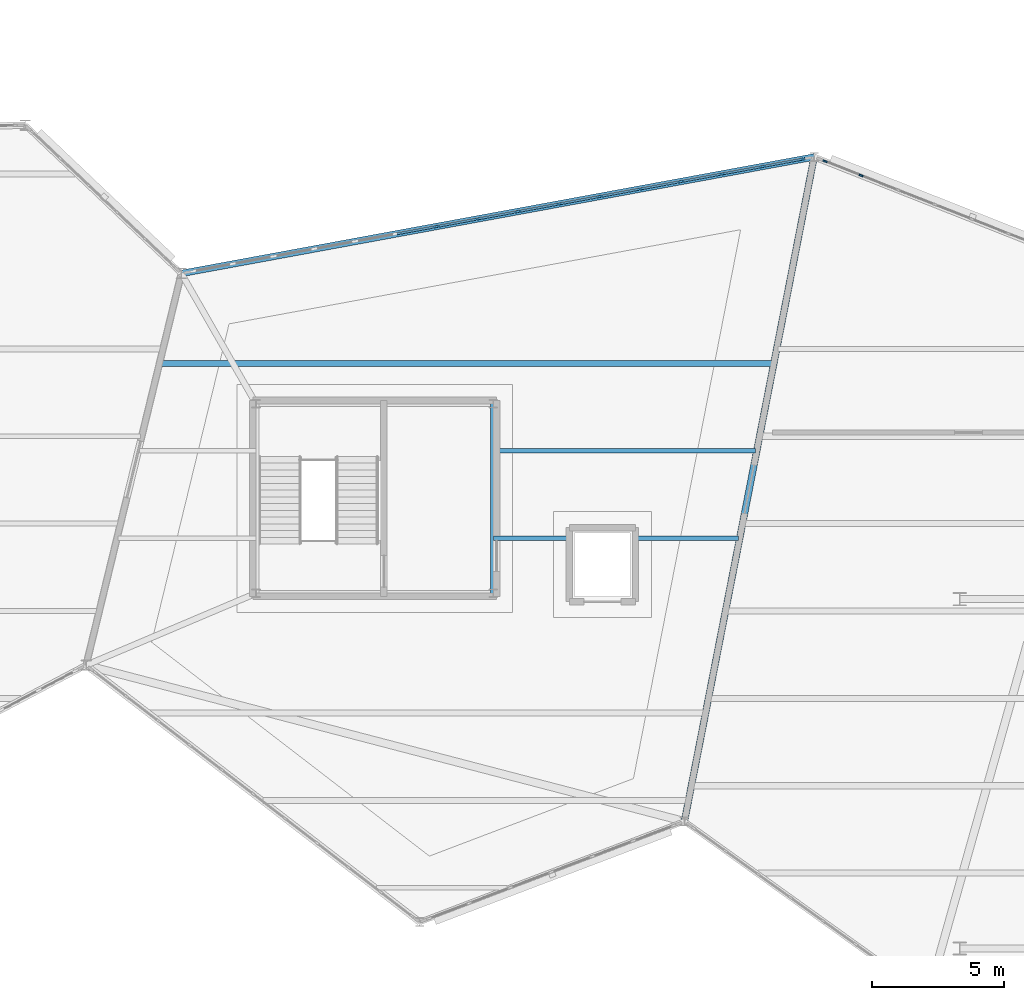
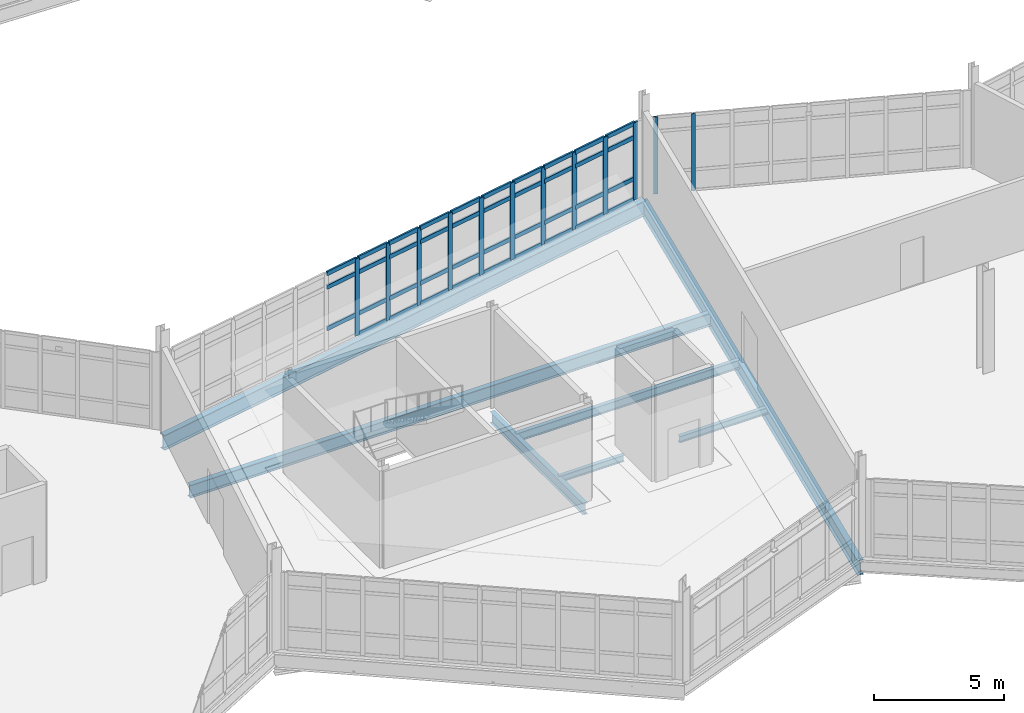
# One storey, part 49 of 134: 51 members, 7 beams, 2 elements without a shape of their own.
"""IFC4 building model written with IfcOpenShell, lengths in metres."""

from ifc_helpers import new_model, si_unit, direction, frame, origin, origin_2d, place, context, subcontext, project, spatial, rectangle, i_section, extrude, material, material_profile, profile_set, type_object, element, aggregate, save


model = new_model("IFC4")

# Units and contexts
model_context = context("Model", 3, precision=1e-05, world=origin(), true_north=direction((0.0, 1.0)))
body_context = subcontext(model_context, "Body", "Model", "MODEL_VIEW")
ifc_project = project(units=[si_unit("LENGTHUNIT", "METRE"), si_unit("AREAUNIT", "SQUARE_METRE"), si_unit("VOLUMEUNIT", "CUBIC_METRE"), si_unit("PLANEANGLEUNIT", "RADIAN"), si_unit("MASSUNIT", "GRAM", prefix="KILO")], contexts=[model_context])

# Site, building, storey
site_placement = place(None, origin())
site = spatial("IfcSite", under=ifc_project, at=site_placement, CompositionType="ELEMENT")
building_placement = place(site_placement, origin())
building = spatial("IfcBuilding", under=site, at=building_placement, Name="Tameran Prism Museum", CompositionType="ELEMENT")
storey_placement = place(building_placement, frame((0.0, 0.0, 5.39990234375)))
storey = spatial("IfcBuildingStorey", under=building, at=storey_placement, Name="L01", CompositionType="ELEMENT", Elevation=5.39990234375)

# Beams
ifc_material_1 = material(Name="Steel Grade 300PLUS (300 MPa)", Category="steel")
ifc_material_profile_1 = material_profile(ifc_material_1, i_section(OverallWidth=0.166015625, OverallDepth=0.306884765625, WebThickness=0.006591796875, FlangeThickness=0.01171875, FilletRadius=0.011474609375, at=origin_2d()))
ifc_profile_set_1 = profile_set([ifc_material_profile_1])
beam_type_1 = type_object("IfcBeamType", Name="BM-J310A", PredefinedType="JOIST", material=ifc_profile_set_1)
beam_1_placement = place(storey_placement, frame((113.47998046875, 33.0, -0.353515625), z_axis=(1.0, 0.0, 0.0), x_axis=(0.0, 1.0, 0.0)))
element("IfcBeam", 1, at=beam_1_placement, inside=storey, type_object=beam_type_1, Name="Floor Beam BM-0565", PredefinedType="JOIST", context=body_context, shape_type="SweptSolid", body=[
    extrude(i_section(OverallWidth=0.166015625, OverallDepth=0.306884765625, WebThickness=0.006591796875, FlangeThickness=0.01171875, FilletRadius=0.011474609375, at=origin_2d()), origin(), (0.0, 0.0, 1.0), 2.89013671875),
])
beam_2_placement = place(storey_placement, frame((118.830078125, 33.0, -0.353515625), z_axis=(1.0, 0.0, 0.0), x_axis=(0.0, 1.0, 0.0)))
element("IfcBeam", 2, at=beam_2_placement, inside=storey, type_object=beam_type_1, Name="Floor Beam BM-0566", PredefinedType="JOIST", context=body_context, shape_type="SweptSolid", body=[
    extrude(i_section(OverallWidth=0.166015625, OverallDepth=0.306884765625, WebThickness=0.006591796875, FlangeThickness=0.01171875, FilletRadius=0.011474609375, at=origin_2d()), origin(), (0.0, 0.0, 1.0), 3.91796875),
])
ifc_material_2 = material(Name="Steel Grade 300PLUS (300 MPa)", Category="steel")
ifc_material_profile_2 = material_profile(ifc_material_2, i_section(OverallWidth=0.177978515625, OverallDepth=0.403076171875, WebThickness=0.007568359375, FlangeThickness=0.010986328125, FilletRadius=0.011474609375, at=origin_2d()))
ifc_profile_set_2 = profile_set([ifc_material_profile_2])
beam_type_2 = type_object("IfcBeamType", Name="BM-J410B", PredefinedType="JOIST", material=ifc_profile_set_2)
beam_3_placement = place(storey_placement, frame((113.47998046875, 36.300048828125, -0.4013671875), z_axis=(1.0, 0.0, 0.0), x_axis=(0.0, 1.0, 0.0)))
element("IfcBeam", 3, at=beam_3_placement, inside=storey, type_object=beam_type_2, Name="Floor Beam BM-0568", PredefinedType="JOIST", context=body_context, shape_type="SweptSolid", body=[
    extrude(i_section(OverallWidth=0.177978515625, OverallDepth=0.403076171875, WebThickness=0.007568359375, FlangeThickness=0.010986328125, FilletRadius=0.011474609375, at=origin_2d()), origin(), (0.0, 0.0, 1.0), 9.912109375),
])
ifc_material_3 = material(Name="Steel Grade 300PLUS (300 MPa)", Category="steel")
ifc_material_profile_3 = material_profile(ifc_material_3, i_section(OverallWidth=0.208984375, OverallDepth=0.528076171875, WebThickness=0.009521484375, FlangeThickness=0.01318359375, FilletRadius=0.013916015625, at=origin_2d()))
ifc_profile_set_3 = profile_set([ifc_material_profile_3])
beam_type_3 = type_object("IfcBeamType", Name="BM-SP530B", PredefinedType="SPANDREL", material=ifc_profile_set_3)
beam_4_placement = place(storey_placement, frame((113.47998046875, 30.919921875, -0.50390625), z_axis=(0.0, 1.0, 0.0), x_axis=(-1.0, 0.0, 0.0)))
element("IfcBeam", 4, at=beam_4_placement, inside=storey, type_object=beam_type_3, Name="Core Ring Beam CTB-0459", PredefinedType="SPANDREL", context=body_context, shape_type="SweptSolid", body=[
    extrude(i_section(OverallWidth=0.208984375, OverallDepth=0.528076171875, WebThickness=0.009521484375, FlangeThickness=0.01318359375, FilletRadius=0.013916015625, at=origin_2d()), origin(), (0.0, 0.0, 1.0), 7.16015625),
])
ifc_material_4 = material(Name="Steel Grade 350 (350 MPa)", Category="steel")
ifc_material_profile_4 = material_profile(ifc_material_4, i_section(OverallWidth=0.25, OverallDepth=0.699951171875, WebThickness=0.010009765625, FlangeThickness=0.02001953125, at=origin_2d()))
ifc_profile_set_4 = profile_set([ifc_material_profile_4])
beam_type_4 = type_object("IfcBeamType", Name="BM-SP700", PredefinedType="SPANDREL", material=ifc_profile_set_4)
beam_5_placement = place(storey_placement, frame((120.699951171875, 22.300048828125, -0.5498046875), z_axis=(0.191608827438, 0.981471373626, 0.0), x_axis=(-0.981471373626, 0.191608827438, 0.0)))
element("IfcBeam", 5, at=beam_5_placement, inside=storey, type_object=beam_type_4, Name="Perimeter Spandrel SP-0362", PredefinedType="SPANDREL", context=body_context, shape_type="SweptSolid", body=[
    extrude(i_section(OverallWidth=0.25, OverallDepth=0.699951171875, WebThickness=0.010009765625, FlangeThickness=0.02001953125, at=origin_2d()), origin(), (0.0, 0.0, 1.0), 25.57373046875),
])
beam_6_placement = place(storey_placement, frame((125.60009765625, 47.39990234375, -0.5498046875), z_axis=(-0.983473389275, -0.181052734272, 0.0), x_axis=(0.181052734272, -0.983473389275, 0.0)))
element("IfcBeam", 6, at=beam_6_placement, inside=storey, type_object=beam_type_4, Name="Perimeter Spandrel SP-0363", PredefinedType="SPANDREL", context=body_context, shape_type="SweptSolid", body=[
    extrude(i_section(OverallWidth=0.25, OverallDepth=0.699951171875, WebThickness=0.010009765625, FlangeThickness=0.02001953125, at=origin_2d()), origin(), (0.0, 0.0, 1.0), 24.3017578125),
])
ifc_material_5 = material(Name="Steel Grade 300PLUS (300 MPa)", Category="steel")
ifc_material_profile_5 = material_profile(ifc_material_5, i_section(OverallWidth=0.22802734375, OverallDepth=0.60693359375, WebThickness=0.01123046875, FlangeThickness=0.017333984375, FilletRadius=0.013916015625, at=origin_2d()))
ifc_profile_set_5 = profile_set([ifc_material_profile_5])
beam_type_5 = type_object("IfcBeamType", Name="BM-UB610B", PredefinedType="BEAM", material=ifc_profile_set_5)
beam_7_placement = place(storey_placement, frame((100.9140625, 39.60009765625, -0.50341796875), z_axis=(1.0, 0.0, 0.0), x_axis=(0.0, 1.0, 0.0)))
element("IfcBeam", 7, at=beam_7_placement, inside=storey, type_object=beam_type_5, Name="Floor Beam BM-0569", PredefinedType="BEAM", context=body_context, shape_type="SweptSolid", body=[
    extrude(i_section(OverallWidth=0.22802734375, OverallDepth=0.60693359375, WebThickness=0.01123046875, FlangeThickness=0.017333984375, FilletRadius=0.013916015625, at=origin_2d()), origin(), (0.0, 0.0, 1.0), 23.123046875),
])

# Curtain wall, members
ifc_material_6 = material(Name="Anodised Aluminium 6063-T6 and Cyclone Solar Glass", Category="aluminium")
curtain_wall_type_1 = type_object("IfcCurtainWallType", Name="CW-FAC-1197x362", PredefinedType="USERDEFINED", material=ifc_material_6)
curtain_wall_1_placement = place(storey_placement, origin())
curtain_wall_1 = element("IfcCurtainWall", 8, at=curtain_wall_1_placement, inside=storey, type_object=curtain_wall_type_1, Name="Unitised Curtain Wall CW-075", ObjectType="UNITISED CURTAIN WALL", PredefinedType="USERDEFINED")
ifc_material_7 = material(Name="Anodised Aluminium Alloy 6063-T6", Category="aluminium")
ifc_material_profile_6 = material_profile(ifc_material_7, rectangle(XDim=0.06494140625, YDim=0.159912109375, at=origin_2d()))
ifc_profile_set_6 = profile_set([ifc_material_profile_6])
member_type_1 = type_object("IfcMemberType", Name="CW-MUL-A", PredefinedType="MULLION", material=ifc_profile_set_6)
member_1_placement = place(storey_placement, frame((126.01318359375, 47.237060546875, 0.0), z_axis=(0.0, 0.0, 1.0), x_axis=(0.367354802346, 0.930080883146, 0.0)))
member_1 = element("IfcMember", 9, at=member_1_placement, type_object=member_type_1, Name="CW-075 mullion 1", PredefinedType="MULLION", context=body_context, shape_type="SweptSolid", body=[
    extrude(rectangle(XDim=0.06494140625, YDim=0.159912109375, at=origin_2d()), origin(), (0.0, 0.0, 1.0), 3.6201171875),
])
member_2_placement = place(storey_placement, frame((127.374755859375, 46.69921875, 0.0), z_axis=(0.0, 0.0, 1.0), x_axis=(0.367354802346, 0.930080883146, 0.0)))
member_2 = element("IfcMember", 10, at=member_2_placement, type_object=member_type_1, Name="CW-075 mullion 2", PredefinedType="MULLION", context=body_context, shape_type="SweptSolid", body=[
    extrude(rectangle(XDim=0.06494140625, YDim=0.159912109375, at=origin_2d()), origin(), (0.0, 0.0, 1.0), 3.6201171875),
])
aggregate(curtain_wall_1, [member_1, member_2])

ifc_material_8 = material(Name="Anodised Aluminium 6063-T6 and Cyclone Solar Glass", Category="aluminium")
curtain_wall_type_2 = type_object("IfcCurtainWallType", Name="CW-FAC-2348x362", PredefinedType="USERDEFINED", material=ifc_material_8)
curtain_wall_2_placement = place(storey_placement, origin())
curtain_wall_2 = element("IfcCurtainWall", 11, at=curtain_wall_2_placement, inside=storey, type_object=curtain_wall_type_2, Name="Unitised Curtain Wall CW-074", ObjectType="UNITISED CURTAIN WALL", PredefinedType="USERDEFINED")
ifc_material_9 = material(Name="Anodised Aluminium Alloy 6063-T6", Category="aluminium")
ifc_material_profile_7 = material_profile(ifc_material_9, rectangle(XDim=0.080078125, YDim=0.219970703125, at=origin_2d()))
ifc_profile_set_7 = profile_set([ifc_material_profile_7])
member_type_2 = type_object("IfcMemberType", Name="CW-MUL-D", PredefinedType="MULLION", material=ifc_profile_set_7)
member_3_placement = place(storey_placement, frame((111.339111328125, 44.7744140625, 0.0), z_axis=(0.0, 0.0, 1.0), x_axis=(-0.181062693106, 0.98347155585, 0.0)))
member_3 = element("IfcMember", 12, at=member_3_placement, type_object=member_type_2, Name="CW-074 mullion 7", PredefinedType="MULLION", context=body_context, shape_type="SweptSolid", body=[
    extrude(rectangle(XDim=0.080078125, YDim=0.219970703125, at=origin_2d()), origin(), (0.0, 0.0, 1.0), 3.6201171875),
])
member_4_placement = place(storey_placement, frame((112.87841796875, 45.057861328125, 0.0), z_axis=(0.0, 0.0, 1.0), x_axis=(-0.181062693106, 0.98347155585, 0.0)))
member_4 = element("IfcMember", 13, at=member_4_placement, type_object=member_type_2, Name="CW-074 mullion 8", PredefinedType="MULLION", context=body_context, shape_type="SweptSolid", body=[
    extrude(rectangle(XDim=0.080078125, YDim=0.219970703125, at=origin_2d()), origin(), (0.0, 0.0, 1.0), 3.6201171875),
])
member_5_placement = place(storey_placement, frame((114.417724609375, 45.34130859375, 0.0), z_axis=(0.0, 0.0, 1.0), x_axis=(-0.181062693106, 0.98347155585, 0.0)))
member_5 = element("IfcMember", 14, at=member_5_placement, type_object=member_type_2, Name="CW-074 mullion 9", PredefinedType="MULLION", context=body_context, shape_type="SweptSolid", body=[
    extrude(rectangle(XDim=0.080078125, YDim=0.219970703125, at=origin_2d()), origin(), (0.0, 0.0, 1.0), 3.6201171875),
])
member_6_placement = place(storey_placement, frame((115.95703125, 45.62451171875, 0.0), z_axis=(0.0, 0.0, 1.0), x_axis=(-0.181062693106, 0.98347155585, 0.0)))
member_6 = element("IfcMember", 15, at=member_6_placement, type_object=member_type_2, Name="CW-074 mullion 10", PredefinedType="MULLION", context=body_context, shape_type="SweptSolid", body=[
    extrude(rectangle(XDim=0.080078125, YDim=0.219970703125, at=origin_2d()), origin(), (0.0, 0.0, 1.0), 3.6201171875),
])
member_7_placement = place(storey_placement, frame((117.496337890625, 45.907958984375, 0.0), z_axis=(0.0, 0.0, 1.0), x_axis=(-0.181062693106, 0.98347155585, 0.0)))
member_7 = element("IfcMember", 16, at=member_7_placement, type_object=member_type_2, Name="CW-074 mullion 11", PredefinedType="MULLION", context=body_context, shape_type="SweptSolid", body=[
    extrude(rectangle(XDim=0.080078125, YDim=0.219970703125, at=origin_2d()), origin(), (0.0, 0.0, 1.0), 3.6201171875),
])
member_8_placement = place(storey_placement, frame((119.03564453125, 46.19140625, 0.0), z_axis=(0.0, 0.0, 1.0), x_axis=(-0.181062693106, 0.98347155585, 0.0)))
member_8 = element("IfcMember", 17, at=member_8_placement, type_object=member_type_2, Name="CW-074 mullion 12", PredefinedType="MULLION", context=body_context, shape_type="SweptSolid", body=[
    extrude(rectangle(XDim=0.080078125, YDim=0.219970703125, at=origin_2d()), origin(), (0.0, 0.0, 1.0), 3.6201171875),
])
member_9_placement = place(storey_placement, frame((120.574951171875, 46.474853515625, 0.0), z_axis=(0.0, 0.0, 1.0), x_axis=(-0.181062693106, 0.98347155585, 0.0)))
member_9 = element("IfcMember", 18, at=member_9_placement, type_object=member_type_2, Name="CW-074 mullion 13", PredefinedType="MULLION", context=body_context, shape_type="SweptSolid", body=[
    extrude(rectangle(XDim=0.080078125, YDim=0.219970703125, at=origin_2d()), origin(), (0.0, 0.0, 1.0), 3.6201171875),
])
member_10_placement = place(storey_placement, frame((122.1142578125, 46.75830078125, 0.0), z_axis=(0.0, 0.0, 1.0), x_axis=(-0.181062693106, 0.98347155585, 0.0)))
member_10 = element("IfcMember", 19, at=member_10_placement, type_object=member_type_2, Name="CW-074 mullion 14", PredefinedType="MULLION", context=body_context, shape_type="SweptSolid", body=[
    extrude(rectangle(XDim=0.080078125, YDim=0.219970703125, at=origin_2d()), origin(), (0.0, 0.0, 1.0), 3.6201171875),
])
member_11_placement = place(storey_placement, frame((123.653564453125, 47.04150390625, 0.0), z_axis=(0.0, 0.0, 1.0), x_axis=(-0.181062693106, 0.98347155585, 0.0)))
member_11 = element("IfcMember", 20, at=member_11_placement, type_object=member_type_2, Name="CW-074 mullion 15", PredefinedType="MULLION", context=body_context, shape_type="SweptSolid", body=[
    extrude(rectangle(XDim=0.080078125, YDim=0.219970703125, at=origin_2d()), origin(), (0.0, 0.0, 1.0), 3.6201171875),
])
member_12_placement = place(storey_placement, frame((125.153564453125, 47.31787109375, 0.0), z_axis=(0.0, 0.0, 1.0), x_axis=(-0.181062693106, 0.98347155585, 0.0)))
member_12 = element("IfcMember", 21, at=member_12_placement, type_object=member_type_2, Name="CW-074 mullion 16", PredefinedType="MULLION", context=body_context, shape_type="SweptSolid", body=[
    extrude(rectangle(XDim=0.080078125, YDim=0.219970703125, at=origin_2d()), origin(), (0.0, 0.0, 1.0), 3.6201171875),
])
ifc_material_10 = material(Name="Anodised Aluminium Alloy 6063-T6", Category="aluminium")
ifc_material_profile_8 = material_profile(ifc_material_10, rectangle(XDim=0.080078125, YDim=0.195068359375, at=origin_2d()))
ifc_profile_set_8 = profile_set([ifc_material_profile_8])
member_type_3 = type_object("IfcMemberType", Name="CW-TRN-D", PredefinedType="USERDEFINED", material=ifc_profile_set_8)
member_13_placement = place(storey_placement, frame((109.839111328125, 44.498291015625, 1.0), z_axis=(0.983480926878, 0.181011785438, 0.0), x_axis=(-0.181011785438, 0.983480926878, 0.0)))
member_13 = element("IfcMember", 22, at=member_13_placement, type_object=member_type_3, Name="CW-074 transom 6.2", ObjectType="TRANSOM", PredefinedType="USERDEFINED", context=body_context, shape_type="SweptSolid", body=[
    extrude(rectangle(XDim=0.080078125, YDim=0.195068359375, at=origin_2d()), origin(), (0.0, 0.0, 1.0), 1.48486328125),
])
member_14_placement = place(storey_placement, frame((109.839111328125, 44.498291015625, 2.940185546875), z_axis=(0.983480926878, 0.181011785438, 0.0), x_axis=(-0.181011785438, 0.983480926878, 0.0)))
member_14 = element("IfcMember", 23, at=member_14_placement, type_object=member_type_3, Name="CW-074 transom 6.3", ObjectType="TRANSOM", PredefinedType="USERDEFINED", context=body_context, shape_type="SweptSolid", body=[
    extrude(rectangle(XDim=0.080078125, YDim=0.195068359375, at=origin_2d()), origin(), (0.0, 0.0, 1.0), 1.48486328125),
])
member_15_placement = place(storey_placement, frame((109.839111328125, 44.498291015625, 3.580078125), z_axis=(0.983480926878, 0.181011785438, 0.0), x_axis=(-0.181011785438, 0.983480926878, 0.0)))
member_15 = element("IfcMember", 24, at=member_15_placement, type_object=member_type_3, Name="CW-074 transom 6.4", ObjectType="TRANSOM", PredefinedType="USERDEFINED", context=body_context, shape_type="SweptSolid", body=[
    extrude(rectangle(XDim=0.080078125, YDim=0.195068359375, at=origin_2d()), origin(), (0.0, 0.0, 1.0), 1.48486328125),
])
member_16_placement = place(storey_placement, frame((111.37841796875, 44.78173828125, 0.0400390625), z_axis=(0.983486312401, 0.180982522138, 0.0), x_axis=(-0.180982522138, 0.983486312401, 0.0)))
member_16 = element("IfcMember", 25, at=member_16_placement, type_object=member_type_3, Name="CW-074 transom 7.1", ObjectType="TRANSOM", PredefinedType="USERDEFINED", context=body_context, shape_type="SweptSolid", body=[
    extrude(rectangle(XDim=0.080078125, YDim=0.195068359375, at=origin_2d()), origin(), (0.0, 0.0, 1.0), 1.485107421875),
])
member_17_placement = place(storey_placement, frame((111.37841796875, 44.78173828125, 1.0), z_axis=(0.983486312401, 0.180982522138, 0.0), x_axis=(-0.180982522138, 0.983486312401, 0.0)))
member_17 = element("IfcMember", 26, at=member_17_placement, type_object=member_type_3, Name="CW-074 transom 7.2", ObjectType="TRANSOM", PredefinedType="USERDEFINED", context=body_context, shape_type="SweptSolid", body=[
    extrude(rectangle(XDim=0.080078125, YDim=0.195068359375, at=origin_2d()), origin(), (0.0, 0.0, 1.0), 1.485107421875),
])
member_18_placement = place(storey_placement, frame((111.37841796875, 44.78173828125, 2.940185546875), z_axis=(0.983486312401, 0.180982522138, 0.0), x_axis=(-0.180982522138, 0.983486312401, 0.0)))
member_18 = element("IfcMember", 27, at=member_18_placement, type_object=member_type_3, Name="CW-074 transom 7.3", ObjectType="TRANSOM", PredefinedType="USERDEFINED", context=body_context, shape_type="SweptSolid", body=[
    extrude(rectangle(XDim=0.080078125, YDim=0.195068359375, at=origin_2d()), origin(), (0.0, 0.0, 1.0), 1.485107421875),
])
member_19_placement = place(storey_placement, frame((111.37841796875, 44.78173828125, 3.580078125), z_axis=(0.983486312401, 0.180982522138, 0.0), x_axis=(-0.180982522138, 0.983486312401, 0.0)))
member_19 = element("IfcMember", 28, at=member_19_placement, type_object=member_type_3, Name="CW-074 transom 7.4", ObjectType="TRANSOM", PredefinedType="USERDEFINED", context=body_context, shape_type="SweptSolid", body=[
    extrude(rectangle(XDim=0.080078125, YDim=0.195068359375, at=origin_2d()), origin(), (0.0, 0.0, 1.0), 1.485107421875),
])
member_20_placement = place(storey_placement, frame((112.917724609375, 45.06494140625, 0.0400390625), z_axis=(0.983457041771, 0.181141510953, 0.0), x_axis=(-0.181141510953, 0.983457041771, 0.0)))
member_20 = element("IfcMember", 29, at=member_20_placement, type_object=member_type_3, Name="CW-074 transom 8.1", ObjectType="TRANSOM", PredefinedType="USERDEFINED", context=body_context, shape_type="SweptSolid", body=[
    extrude(rectangle(XDim=0.080078125, YDim=0.195068359375, at=origin_2d()), origin(), (0.0, 0.0, 1.0), 1.4853515625),
])
member_21_placement = place(storey_placement, frame((112.917724609375, 45.06494140625, 1.0), z_axis=(0.983457041771, 0.181141510953, 0.0), x_axis=(-0.181141510953, 0.983457041771, 0.0)))
member_21 = element("IfcMember", 30, at=member_21_placement, type_object=member_type_3, Name="CW-074 transom 8.2", ObjectType="TRANSOM", PredefinedType="USERDEFINED", context=body_context, shape_type="SweptSolid", body=[
    extrude(rectangle(XDim=0.080078125, YDim=0.195068359375, at=origin_2d()), origin(), (0.0, 0.0, 1.0), 1.4853515625),
])
member_22_placement = place(storey_placement, frame((112.917724609375, 45.06494140625, 2.940185546875), z_axis=(0.983457041771, 0.181141510953, 0.0), x_axis=(-0.181141510953, 0.983457041771, 0.0)))
member_22 = element("IfcMember", 31, at=member_22_placement, type_object=member_type_3, Name="CW-074 transom 8.3", ObjectType="TRANSOM", PredefinedType="USERDEFINED", context=body_context, shape_type="SweptSolid", body=[
    extrude(rectangle(XDim=0.080078125, YDim=0.195068359375, at=origin_2d()), origin(), (0.0, 0.0, 1.0), 1.4853515625),
])
member_23_placement = place(storey_placement, frame((112.917724609375, 45.06494140625, 3.580078125), z_axis=(0.983457041771, 0.181141510953, 0.0), x_axis=(-0.181141510953, 0.983457041771, 0.0)))
member_23 = element("IfcMember", 32, at=member_23_placement, type_object=member_type_3, Name="CW-074 transom 8.4", ObjectType="TRANSOM", PredefinedType="USERDEFINED", context=body_context, shape_type="SweptSolid", body=[
    extrude(rectangle(XDim=0.080078125, YDim=0.195068359375, at=origin_2d()), origin(), (0.0, 0.0, 1.0), 1.4853515625),
])
member_24_placement = place(storey_placement, frame((114.45703125, 45.348388671875, 0.0400390625), z_axis=(0.983457041771, 0.181141510953, 0.0), x_axis=(-0.181141510953, 0.983457041771, 0.0)))
member_24 = element("IfcMember", 33, at=member_24_placement, type_object=member_type_3, Name="CW-074 transom 9.1", ObjectType="TRANSOM", PredefinedType="USERDEFINED", context=body_context, shape_type="SweptSolid", body=[
    extrude(rectangle(XDim=0.080078125, YDim=0.195068359375, at=origin_2d()), origin(), (0.0, 0.0, 1.0), 1.4853515625),
])
member_25_placement = place(storey_placement, frame((114.45703125, 45.348388671875, 1.0), z_axis=(0.983457041771, 0.181141510953, 0.0), x_axis=(-0.181141510953, 0.983457041771, 0.0)))
member_25 = element("IfcMember", 34, at=member_25_placement, type_object=member_type_3, Name="CW-074 transom 9.2", ObjectType="TRANSOM", PredefinedType="USERDEFINED", context=body_context, shape_type="SweptSolid", body=[
    extrude(rectangle(XDim=0.080078125, YDim=0.195068359375, at=origin_2d()), origin(), (0.0, 0.0, 1.0), 1.4853515625),
])
member_26_placement = place(storey_placement, frame((114.45703125, 45.348388671875, 2.940185546875), z_axis=(0.983457041771, 0.181141510953, 0.0), x_axis=(-0.181141510953, 0.983457041771, 0.0)))
member_26 = element("IfcMember", 35, at=member_26_placement, type_object=member_type_3, Name="CW-074 transom 9.3", ObjectType="TRANSOM", PredefinedType="USERDEFINED", context=body_context, shape_type="SweptSolid", body=[
    extrude(rectangle(XDim=0.080078125, YDim=0.195068359375, at=origin_2d()), origin(), (0.0, 0.0, 1.0), 1.4853515625),
])
member_27_placement = place(storey_placement, frame((114.45703125, 45.348388671875, 3.580078125), z_axis=(0.983457041771, 0.181141510953, 0.0), x_axis=(-0.181141510953, 0.983457041771, 0.0)))
member_27 = element("IfcMember", 36, at=member_27_placement, type_object=member_type_3, Name="CW-074 transom 9.4", ObjectType="TRANSOM", PredefinedType="USERDEFINED", context=body_context, shape_type="SweptSolid", body=[
    extrude(rectangle(XDim=0.080078125, YDim=0.195068359375, at=origin_2d()), origin(), (0.0, 0.0, 1.0), 1.4853515625),
])
member_28_placement = place(storey_placement, frame((115.996337890625, 45.6318359375, 0.0400390625), z_axis=(0.983457041771, 0.181141510953, 0.0), x_axis=(-0.181141510953, 0.983457041771, 0.0)))
member_28 = element("IfcMember", 37, at=member_28_placement, type_object=member_type_3, Name="CW-074 transom 10.1", ObjectType="TRANSOM", PredefinedType="USERDEFINED", context=body_context, shape_type="SweptSolid", body=[
    extrude(rectangle(XDim=0.080078125, YDim=0.195068359375, at=origin_2d()), origin(), (0.0, 0.0, 1.0), 1.4853515625),
])
member_29_placement = place(storey_placement, frame((115.996337890625, 45.6318359375, 1.0), z_axis=(0.983457041771, 0.181141510953, 0.0), x_axis=(-0.181141510953, 0.983457041771, 0.0)))
member_29 = element("IfcMember", 38, at=member_29_placement, type_object=member_type_3, Name="CW-074 transom 10.2", ObjectType="TRANSOM", PredefinedType="USERDEFINED", context=body_context, shape_type="SweptSolid", body=[
    extrude(rectangle(XDim=0.080078125, YDim=0.195068359375, at=origin_2d()), origin(), (0.0, 0.0, 1.0), 1.4853515625),
])
member_30_placement = place(storey_placement, frame((115.996337890625, 45.6318359375, 2.940185546875), z_axis=(0.983457041771, 0.181141510953, 0.0), x_axis=(-0.181141510953, 0.983457041771, 0.0)))
member_30 = element("IfcMember", 39, at=member_30_placement, type_object=member_type_3, Name="CW-074 transom 10.3", ObjectType="TRANSOM", PredefinedType="USERDEFINED", context=body_context, shape_type="SweptSolid", body=[
    extrude(rectangle(XDim=0.080078125, YDim=0.195068359375, at=origin_2d()), origin(), (0.0, 0.0, 1.0), 1.4853515625),
])
member_31_placement = place(storey_placement, frame((115.996337890625, 45.6318359375, 3.580078125), z_axis=(0.983457041771, 0.181141510953, 0.0), x_axis=(-0.181141510953, 0.983457041771, 0.0)))
member_31 = element("IfcMember", 40, at=member_31_placement, type_object=member_type_3, Name="CW-074 transom 10.4", ObjectType="TRANSOM", PredefinedType="USERDEFINED", context=body_context, shape_type="SweptSolid", body=[
    extrude(rectangle(XDim=0.080078125, YDim=0.195068359375, at=origin_2d()), origin(), (0.0, 0.0, 1.0), 1.4853515625),
])
member_32_placement = place(storey_placement, frame((117.53564453125, 45.915283203125, 0.0400390625), z_axis=(0.983486312401, 0.180982522138, 0.0), x_axis=(-0.180982522138, 0.983486312401, 0.0)))
member_32 = element("IfcMember", 41, at=member_32_placement, type_object=member_type_3, Name="CW-074 transom 11.1", ObjectType="TRANSOM", PredefinedType="USERDEFINED", context=body_context, shape_type="SweptSolid", body=[
    extrude(rectangle(XDim=0.080078125, YDim=0.195068359375, at=origin_2d()), origin(), (0.0, 0.0, 1.0), 1.485107421875),
])
member_33_placement = place(storey_placement, frame((117.53564453125, 45.915283203125, 1.0), z_axis=(0.983486312401, 0.180982522138, 0.0), x_axis=(-0.180982522138, 0.983486312401, 0.0)))
member_33 = element("IfcMember", 42, at=member_33_placement, type_object=member_type_3, Name="CW-074 transom 11.2", ObjectType="TRANSOM", PredefinedType="USERDEFINED", context=body_context, shape_type="SweptSolid", body=[
    extrude(rectangle(XDim=0.080078125, YDim=0.195068359375, at=origin_2d()), origin(), (0.0, 0.0, 1.0), 1.485107421875),
])
member_34_placement = place(storey_placement, frame((117.53564453125, 45.915283203125, 2.940185546875), z_axis=(0.983486312401, 0.180982522138, 0.0), x_axis=(-0.180982522138, 0.983486312401, 0.0)))
member_34 = element("IfcMember", 43, at=member_34_placement, type_object=member_type_3, Name="CW-074 transom 11.3", ObjectType="TRANSOM", PredefinedType="USERDEFINED", context=body_context, shape_type="SweptSolid", body=[
    extrude(rectangle(XDim=0.080078125, YDim=0.195068359375, at=origin_2d()), origin(), (0.0, 0.0, 1.0), 1.485107421875),
])
member_35_placement = place(storey_placement, frame((117.53564453125, 45.915283203125, 3.580078125), z_axis=(0.983486312401, 0.180982522138, 0.0), x_axis=(-0.180982522138, 0.983486312401, 0.0)))
member_35 = element("IfcMember", 44, at=member_35_placement, type_object=member_type_3, Name="CW-074 transom 11.4", ObjectType="TRANSOM", PredefinedType="USERDEFINED", context=body_context, shape_type="SweptSolid", body=[
    extrude(rectangle(XDim=0.080078125, YDim=0.195068359375, at=origin_2d()), origin(), (0.0, 0.0, 1.0), 1.485107421875),
])
member_36_placement = place(storey_placement, frame((119.074951171875, 46.19873046875, 0.0400390625), z_axis=(0.983486312401, 0.180982522138, 0.0), x_axis=(-0.180982522138, 0.983486312401, 0.0)))
member_36 = element("IfcMember", 45, at=member_36_placement, type_object=member_type_3, Name="CW-074 transom 12.1", ObjectType="TRANSOM", PredefinedType="USERDEFINED", context=body_context, shape_type="SweptSolid", body=[
    extrude(rectangle(XDim=0.080078125, YDim=0.195068359375, at=origin_2d()), origin(), (0.0, 0.0, 1.0), 1.485107421875),
])
member_37_placement = place(storey_placement, frame((119.074951171875, 46.19873046875, 1.0), z_axis=(0.983486312401, 0.180982522138, 0.0), x_axis=(-0.180982522138, 0.983486312401, 0.0)))
member_37 = element("IfcMember", 46, at=member_37_placement, type_object=member_type_3, Name="CW-074 transom 12.2", ObjectType="TRANSOM", PredefinedType="USERDEFINED", context=body_context, shape_type="SweptSolid", body=[
    extrude(rectangle(XDim=0.080078125, YDim=0.195068359375, at=origin_2d()), origin(), (0.0, 0.0, 1.0), 1.485107421875),
])
member_38_placement = place(storey_placement, frame((119.074951171875, 46.19873046875, 2.940185546875), z_axis=(0.983486312401, 0.180982522138, 0.0), x_axis=(-0.180982522138, 0.983486312401, 0.0)))
member_38 = element("IfcMember", 47, at=member_38_placement, type_object=member_type_3, Name="CW-074 transom 12.3", ObjectType="TRANSOM", PredefinedType="USERDEFINED", context=body_context, shape_type="SweptSolid", body=[
    extrude(rectangle(XDim=0.080078125, YDim=0.195068359375, at=origin_2d()), origin(), (0.0, 0.0, 1.0), 1.485107421875),
])
member_39_placement = place(storey_placement, frame((119.074951171875, 46.19873046875, 3.580078125), z_axis=(0.983486312401, 0.180982522138, 0.0), x_axis=(-0.180982522138, 0.983486312401, 0.0)))
member_39 = element("IfcMember", 48, at=member_39_placement, type_object=member_type_3, Name="CW-074 transom 12.4", ObjectType="TRANSOM", PredefinedType="USERDEFINED", context=body_context, shape_type="SweptSolid", body=[
    extrude(rectangle(XDim=0.080078125, YDim=0.195068359375, at=origin_2d()), origin(), (0.0, 0.0, 1.0), 1.485107421875),
])
member_40_placement = place(storey_placement, frame((120.6142578125, 46.48193359375, 0.0400390625), z_axis=(0.983457041771, 0.181141510953, 0.0), x_axis=(-0.181141510953, 0.983457041771, 0.0)))
member_40 = element("IfcMember", 49, at=member_40_placement, type_object=member_type_3, Name="CW-074 transom 13.1", ObjectType="TRANSOM", PredefinedType="USERDEFINED", context=body_context, shape_type="SweptSolid", body=[
    extrude(rectangle(XDim=0.080078125, YDim=0.195068359375, at=origin_2d()), origin(), (0.0, 0.0, 1.0), 1.4853515625),
])
member_41_placement = place(storey_placement, frame((120.6142578125, 46.48193359375, 1.0), z_axis=(0.983457041771, 0.181141510953, 0.0), x_axis=(-0.181141510953, 0.983457041771, 0.0)))
member_41 = element("IfcMember", 50, at=member_41_placement, type_object=member_type_3, Name="CW-074 transom 13.2", ObjectType="TRANSOM", PredefinedType="USERDEFINED", context=body_context, shape_type="SweptSolid", body=[
    extrude(rectangle(XDim=0.080078125, YDim=0.195068359375, at=origin_2d()), origin(), (0.0, 0.0, 1.0), 1.4853515625),
])
member_42_placement = place(storey_placement, frame((120.6142578125, 46.48193359375, 2.940185546875), z_axis=(0.983457041771, 0.181141510953, 0.0), x_axis=(-0.181141510953, 0.983457041771, 0.0)))
member_42 = element("IfcMember", 51, at=member_42_placement, type_object=member_type_3, Name="CW-074 transom 13.3", ObjectType="TRANSOM", PredefinedType="USERDEFINED", context=body_context, shape_type="SweptSolid", body=[
    extrude(rectangle(XDim=0.080078125, YDim=0.195068359375, at=origin_2d()), origin(), (0.0, 0.0, 1.0), 1.4853515625),
])
member_43_placement = place(storey_placement, frame((120.6142578125, 46.48193359375, 3.580078125), z_axis=(0.983457041771, 0.181141510953, 0.0), x_axis=(-0.181141510953, 0.983457041771, 0.0)))
member_43 = element("IfcMember", 52, at=member_43_placement, type_object=member_type_3, Name="CW-074 transom 13.4", ObjectType="TRANSOM", PredefinedType="USERDEFINED", context=body_context, shape_type="SweptSolid", body=[
    extrude(rectangle(XDim=0.080078125, YDim=0.195068359375, at=origin_2d()), origin(), (0.0, 0.0, 1.0), 1.4853515625),
])
member_44_placement = place(storey_placement, frame((122.153564453125, 46.765380859375, 0.0400390625), z_axis=(0.983457041771, 0.181141510953, 0.0), x_axis=(-0.181141510953, 0.983457041771, 0.0)))
member_44 = element("IfcMember", 53, at=member_44_placement, type_object=member_type_3, Name="CW-074 transom 14.1", ObjectType="TRANSOM", PredefinedType="USERDEFINED", context=body_context, shape_type="SweptSolid", body=[
    extrude(rectangle(XDim=0.080078125, YDim=0.195068359375, at=origin_2d()), origin(), (0.0, 0.0, 1.0), 1.4853515625),
])
member_45_placement = place(storey_placement, frame((122.153564453125, 46.765380859375, 1.0), z_axis=(0.983457041771, 0.181141510953, 0.0), x_axis=(-0.181141510953, 0.983457041771, 0.0)))
member_45 = element("IfcMember", 54, at=member_45_placement, type_object=member_type_3, Name="CW-074 transom 14.2", ObjectType="TRANSOM", PredefinedType="USERDEFINED", context=body_context, shape_type="SweptSolid", body=[
    extrude(rectangle(XDim=0.080078125, YDim=0.195068359375, at=origin_2d()), origin(), (0.0, 0.0, 1.0), 1.4853515625),
])
member_46_placement = place(storey_placement, frame((122.153564453125, 46.765380859375, 2.940185546875), z_axis=(0.983457041771, 0.181141510953, 0.0), x_axis=(-0.181141510953, 0.983457041771, 0.0)))
member_46 = element("IfcMember", 55, at=member_46_placement, type_object=member_type_3, Name="CW-074 transom 14.3", ObjectType="TRANSOM", PredefinedType="USERDEFINED", context=body_context, shape_type="SweptSolid", body=[
    extrude(rectangle(XDim=0.080078125, YDim=0.195068359375, at=origin_2d()), origin(), (0.0, 0.0, 1.0), 1.4853515625),
])
member_47_placement = place(storey_placement, frame((122.153564453125, 46.765380859375, 3.580078125), z_axis=(0.983457041771, 0.181141510953, 0.0), x_axis=(-0.181141510953, 0.983457041771, 0.0)))
member_47 = element("IfcMember", 56, at=member_47_placement, type_object=member_type_3, Name="CW-074 transom 14.4", ObjectType="TRANSOM", PredefinedType="USERDEFINED", context=body_context, shape_type="SweptSolid", body=[
    extrude(rectangle(XDim=0.080078125, YDim=0.195068359375, at=origin_2d()), origin(), (0.0, 0.0, 1.0), 1.4853515625),
])
member_48_placement = place(storey_placement, frame((123.693115234375, 47.048828125, 0.0400390625), z_axis=(0.983461900916, 0.181115127604, 0.0), x_axis=(-0.181115127604, 0.983461900916, 0.0)))
member_48 = element("IfcMember", 57, at=member_48_placement, type_object=member_type_3, Name="CW-074 transom 15.1", ObjectType="TRANSOM", PredefinedType="USERDEFINED", context=body_context, shape_type="SweptSolid", body=[
    extrude(rectangle(XDim=0.080078125, YDim=0.195068359375, at=origin_2d()), origin(), (0.0, 0.0, 1.0), 1.445068359375),
])
member_49_placement = place(storey_placement, frame((123.693115234375, 47.048828125, 1.0), z_axis=(0.983461900916, 0.181115127604, 0.0), x_axis=(-0.181115127604, 0.983461900916, 0.0)))
member_49 = element("IfcMember", 58, at=member_49_placement, type_object=member_type_3, Name="CW-074 transom 15.2", ObjectType="TRANSOM", PredefinedType="USERDEFINED", context=body_context, shape_type="SweptSolid", body=[
    extrude(rectangle(XDim=0.080078125, YDim=0.195068359375, at=origin_2d()), origin(), (0.0, 0.0, 1.0), 1.445068359375),
])
member_50_placement = place(storey_placement, frame((123.693115234375, 47.048828125, 2.940185546875), z_axis=(0.983461900916, 0.181115127604, 0.0), x_axis=(-0.181115127604, 0.983461900916, 0.0)))
member_50 = element("IfcMember", 59, at=member_50_placement, type_object=member_type_3, Name="CW-074 transom 15.3", ObjectType="TRANSOM", PredefinedType="USERDEFINED", context=body_context, shape_type="SweptSolid", body=[
    extrude(rectangle(XDim=0.080078125, YDim=0.195068359375, at=origin_2d()), origin(), (0.0, 0.0, 1.0), 1.445068359375),
])
member_51_placement = place(storey_placement, frame((123.693115234375, 47.048828125, 3.580078125), z_axis=(0.983461900916, 0.181115127604, 0.0), x_axis=(-0.181115127604, 0.983461900916, 0.0)))
member_51 = element("IfcMember", 60, at=member_51_placement, type_object=member_type_3, Name="CW-074 transom 15.4", ObjectType="TRANSOM", PredefinedType="USERDEFINED", context=body_context, shape_type="SweptSolid", body=[
    extrude(rectangle(XDim=0.080078125, YDim=0.195068359375, at=origin_2d()), origin(), (0.0, 0.0, 1.0), 1.445068359375),
])
aggregate(curtain_wall_2, [member_3, member_4, member_5, member_6, member_7, member_8, member_9, member_10, member_11, member_12, member_13, member_14, member_15, member_16, member_17, member_18, member_19, member_20, member_21, member_22, member_23, member_24, member_25, member_26, member_27, member_28, member_29, member_30, member_31, member_32, member_33, member_34, member_35, member_36, member_37, member_38, member_39, member_40, member_41, member_42, member_43, member_44, member_45, member_46, member_47, member_48, member_49, member_50, member_51])

save(model, "model.ifc")
